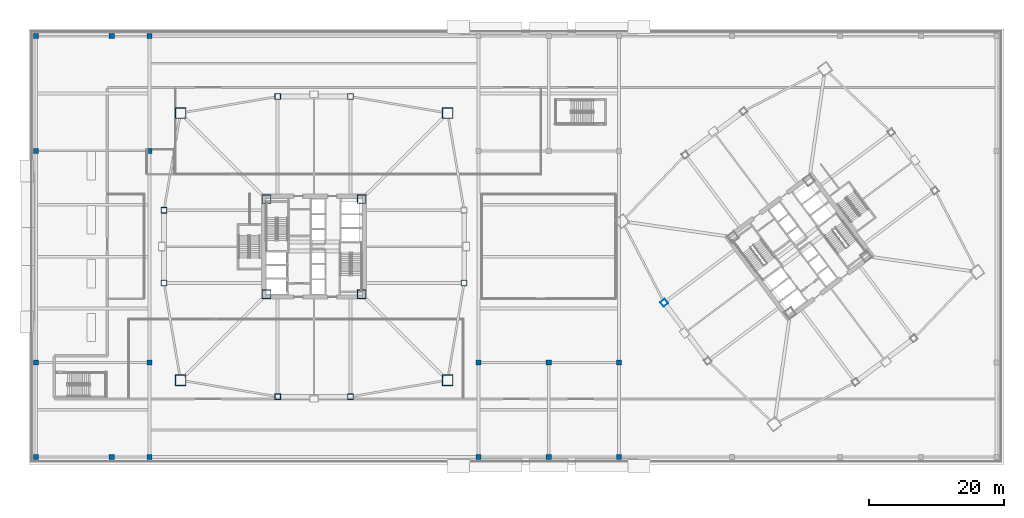
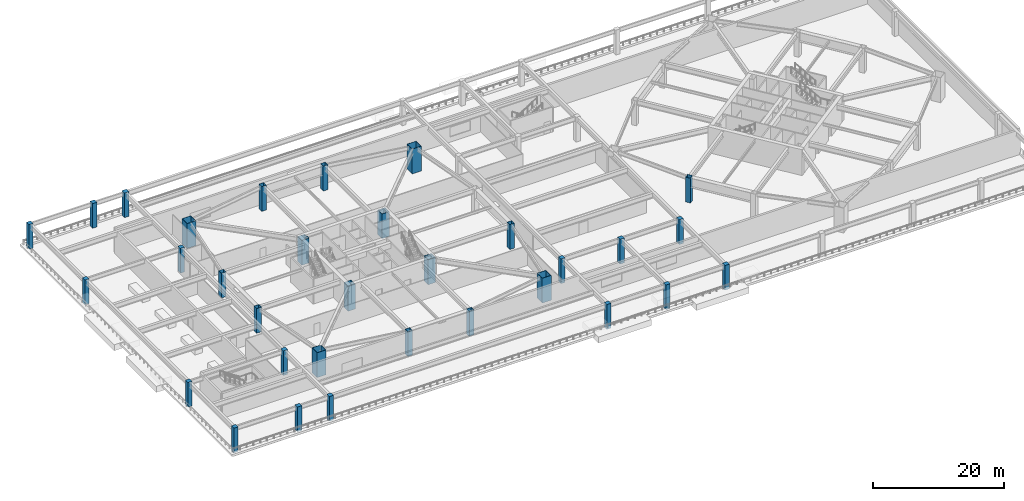
# One storey, part 1 of 21: 32 columns.
"""IFC4 building model written with IfcOpenShell, lengths in metres."""

from ifc_helpers import new_model, si_unit, direction, frame, origin, origin_2d, place, context, subcontext, project, spatial, rectangle, hollow_rectangle, extrude, material, material_profile, profile_set, type_object, element, save


model = new_model("IFC4")

# Units and contexts
model_context = context("Model", 3, precision=1e-05, world=origin(), true_north=direction((0.0, 1.0)))
body_context = subcontext(model_context, "Body", "Model", "MODEL_VIEW")
ifc_project = project(units=[si_unit("LENGTHUNIT", "METRE"), si_unit("AREAUNIT", "SQUARE_METRE"), si_unit("VOLUMEUNIT", "CUBIC_METRE"), si_unit("PLANEANGLEUNIT", "RADIAN"), si_unit("MASSUNIT", "GRAM", prefix="KILO")], contexts=[model_context])

# Site, building, storey
site_placement = place(None, origin())
site = spatial("IfcSite", under=ifc_project, at=site_placement, CompositionType="ELEMENT")
building_placement = place(site_placement, origin())
building = spatial("IfcBuilding", under=site, at=building_placement, Name="Tashvorn Skyway Center", CompositionType="ELEMENT")
storey_placement = place(building_placement, frame((0.0, 0.0, 19.800048828125)))
storey = spatial("IfcBuildingStorey", under=building, at=storey_placement, Name="L04", CompositionType="ELEMENT", Elevation=19.800048828125)

# Columns
ifc_material_1 = material(Name="Steel ASTM A572 Grade 50", Category="steel")
ifc_material_profile_1 = material_profile(ifc_material_1, hollow_rectangle(XDim=1.300048828125, YDim=1.300048828125, WallThickness=0.050048828125, at=origin_2d()), Name="BOX1300x1300x50")
ifc_profile_set_1 = profile_set([ifc_material_profile_1], Name="Steel ASTM A572 Grade 50")
column_type_1 = type_object("IfcColumnType", Name="COL-BOX1300x1300x50", PredefinedType="COLUMN", material=ifc_profile_set_1)
for number, where, z_axis, x_axis, name in (
    (1, (34.949951171875, 24.949951171875, 0.0), (0.0, 0.0, 1.0), (1.0, 0.0, 0.0), "Tower 1 L04 Core Corner Column CC-SW"),
    (2, (49.050048828125, 24.949951171875, 0.0), (0.0, 0.0, 1.0), (1.0, 0.0, 0.0), "Tower 1 L04 Core Corner Column CC-SE"),
    (3, (49.050048828125, 39.050048828125, 0.0), (0.0, 0.0, 1.0), (1.0, 0.0, 0.0), "Tower 1 L04 Core Corner Column CC-NE"),
    (4, (34.949951171875, 39.050048828125, 0.0), (0.0, 0.0, 1.0), (1.0, 0.0, 0.0), "Tower 1 L04 Core Corner Column CC-NW"),
):
    element("IfcColumn", number, at=place(storey_placement, frame(where, z_axis=z_axis, x_axis=x_axis)), inside=storey, type_object=column_type_1, Name=name, PredefinedType="COLUMN", context=body_context, shape_type="SweptSolid", body=[
        extrude(hollow_rectangle(XDim=1.300048828125, YDim=1.300048828125, WallThickness=0.050048828125, at=origin_2d()), origin(), (0.0, 0.0, 1.0), 4.599853515625),
    ])
ifc_material_profile_2 = material_profile(ifc_material_1, hollow_rectangle(XDim=1.60009765625, YDim=1.60009765625, WallThickness=0.06005859375, at=origin_2d()), Name="BOX1600x1600x60")
ifc_profile_set_2 = profile_set([ifc_material_profile_2], Name="Steel ASTM A572 Grade 50")
column_type_2 = type_object("IfcColumnType", Name="COL-BOX1600x1600x60", PredefinedType="COLUMN", material=ifc_profile_set_2)
for number, where, z_axis, x_axis, name in (
    (5, (22.199951171875, 12.199951171875, 0.0), (0.0, 0.0, 1.0), (1.0, 0.0, 0.0), "Tower 1 L04 Mega-Column MC-SW"),
    (6, (61.800048828125, 12.199951171875, 0.0), (0.0, 0.0, 1.0), (1.0, 0.0, 0.0), "Tower 1 L04 Mega-Column MC-SE"),
    (7, (61.800048828125, 51.800048828125, 0.0), (0.0, 0.0, 1.0), (1.0, 0.0, 0.0), "Tower 1 L04 Mega-Column MC-NE"),
    (8, (22.199951171875, 51.800048828125, 0.0), (0.0, 0.0, 1.0), (1.0, 0.0, 0.0), "Tower 1 L04 Mega-Column MC-NW"),
):
    element("IfcColumn", number, at=place(storey_placement, frame(where, z_axis=z_axis, x_axis=x_axis)), inside=storey, type_object=column_type_2, Name=name, PredefinedType="COLUMN", context=body_context, shape_type="SweptSolid", body=[
        extrude(hollow_rectangle(XDim=1.60009765625, YDim=1.60009765625, WallThickness=0.06005859375, at=origin_2d()), origin(), (0.0, 0.0, 1.0), 4.599853515625),
    ])
ifc_material_profile_3 = material_profile(ifc_material_1, hollow_rectangle(XDim=0.85009765625, YDim=0.85009765625, WallThickness=0.034912109375, at=origin_2d()), Name="BOX850x850x35")
ifc_profile_set_3 = profile_set([ifc_material_profile_3], Name="Steel ASTM A572 Grade 50")
column_type_3 = type_object("IfcColumnType", Name="COL-BOX850x850x35", PredefinedType="COLUMN", material=ifc_profile_set_3)
for number, where, z_axis, x_axis, name in (
    (9, (36.60009765625, 9.75, 0.0), (0.0, 0.0, 1.0), (1.0, 0.0, 0.0), "Tower 1 L04 Perimeter Column FC-S1"),
    (10, (47.39990234375, 9.75, 0.0), (0.0, 0.0, 1.0), (1.0, 0.0, 0.0), "Tower 1 L04 Perimeter Column FC-S2"),
    (11, (64.25, 26.60009765625, 0.0), (0.0, 0.0, 1.0), (1.0, 0.0, 0.0), "Tower 1 L04 Perimeter Column FC-E1"),
    (12, (47.39990234375, 54.25, 0.0), (0.0, 0.0, 1.0), (1.0, 0.0, 0.0), "Tower 1 L04 Perimeter Column FC-N1"),
    (13, (36.60009765625, 54.25, 0.0), (0.0, 0.0, 1.0), (1.0, 0.0, 0.0), "Tower 1 L04 Perimeter Column FC-N2"),
    (14, (19.75, 37.39990234375, 0.0), (0.0, 0.0, 1.0), (1.0, 0.0, 0.0), "Tower 1 L04 Perimeter Column FC-W1"),
    (15, (19.75, 26.60009765625, 0.0), (0.0, 0.0, 1.0), (1.0, 0.0, 0.0), "Tower 1 L04 Perimeter Column FC-W2"),
    (16, (93.919921875, 23.68994140625, 0.0), (0.0, 0.0, 1.0), (0.799999996291, 0.600000004945, 0.0), "Tower 2 L04 Perimeter Column FC-W1"),
):
    element("IfcColumn", number, at=place(storey_placement, frame(where, z_axis=z_axis, x_axis=x_axis)), inside=storey, type_object=column_type_3, Name=name, PredefinedType="COLUMN", context=body_context, shape_type="SweptSolid", body=[
        extrude(hollow_rectangle(XDim=0.85009765625, YDim=0.85009765625, WallThickness=0.034912109375, at=origin_2d()), origin(), (0.0, 0.0, 1.0), 4.599853515625),
    ])
ifc_material_2 = material(Name="Concrete C50/60", Category="concrete")
ifc_material_profile_4 = material_profile(ifc_material_2, rectangle(XDim=0.75, YDim=0.75, at=origin_2d()), Name="RC750x750")
ifc_profile_set_4 = profile_set([ifc_material_profile_4], Name="Concrete C50/60")
column_type_4 = type_object("IfcColumnType", Name="COL-RC750x750", PredefinedType="COLUMN", material=ifc_profile_set_4)
for number, where, z_axis, x_axis, name in (
    (17, (0.800048828125, 0.800048828125, 0.0), (0.0, 0.0, 1.0), (1.0, 0.0, 0.0), "L04 Podium Column PC-01-1"),
    (18, (0.800048828125, 63.199951171875, 0.0), (0.0, 0.0, 1.0), (1.0, 0.0, 0.0), "L04 Podium Column PC-01-2"),
    (19, (12.0, 0.800048828125, 0.0), (0.0, 0.0, 1.0), (1.0, 0.0, 0.0), "L04 Podium Column PC-02-1"),
    (20, (12.0, 63.199951171875, 0.0), (0.0, 0.0, 1.0), (1.0, 0.0, 0.0), "L04 Podium Column PC-02-2"),
    (21, (17.60009765625, 0.800048828125, 0.0), (0.0, 0.0, 1.0), (1.0, 0.0, 0.0), "L04 Podium Column PC-03-1"),
    (22, (17.60009765625, 63.199951171875, 0.0), (0.0, 0.0, 1.0), (1.0, 0.0, 0.0), "L04 Podium Column PC-03-2"),
    (23, (66.39990234375, 0.800048828125, 0.0), (0.0, 0.0, 1.0), (1.0, 0.0, 0.0), "L04 Podium Column PC-04-1"),
    (24, (76.800048828125, 0.800048828125, 0.0), (0.0, 0.0, 1.0), (1.0, 0.0, 0.0), "L04 Podium Column PC-05-1"),
    (25, (87.199951171875, 0.800048828125, 0.0), (0.0, 0.0, 1.0), (1.0, 0.0, 0.0), "L04 Podium Column PC-06-1"),
    (26, (0.800048828125, 14.800048828125, 0.0), (0.0, 0.0, 1.0), (1.0, 0.0, 0.0), "L04 Podium Column PIC-01-1"),
    (27, (0.800048828125, 46.199951171875, 0.0), (0.0, 0.0, 1.0), (1.0, 0.0, 0.0), "L04 Podium Column PIC-01-2"),
    (28, (17.60009765625, 14.800048828125, 0.0), (0.0, 0.0, 1.0), (1.0, 0.0, 0.0), "L04 Podium Column PIC-02-1"),
    (29, (17.60009765625, 46.199951171875, 0.0), (0.0, 0.0, 1.0), (1.0, 0.0, 0.0), "L04 Podium Column PIC-02-2"),
    (30, (66.39990234375, 14.800048828125, 0.0), (0.0, 0.0, 1.0), (1.0, 0.0, 0.0), "L04 Podium Column PIC-03-1"),
    (31, (76.800048828125, 14.800048828125, 0.0), (0.0, 0.0, 1.0), (1.0, 0.0, 0.0), "L04 Podium Column PIC-04-1"),
    (32, (87.199951171875, 14.800048828125, 0.0), (0.0, 0.0, 1.0), (1.0, 0.0, 0.0), "L04 Podium Column PIC-05-1"),
):
    element("IfcColumn", number, at=place(storey_placement, frame(where, z_axis=z_axis, x_axis=x_axis)), inside=storey, type_object=column_type_4, Name=name, PredefinedType="COLUMN", context=body_context, shape_type="SweptSolid", body=[
        extrude(rectangle(XDim=0.75, YDim=0.75, at=origin_2d()), origin(), (0.0, 0.0, 1.0), 4.599853515625),
    ])

save(model, "model.ifc")
